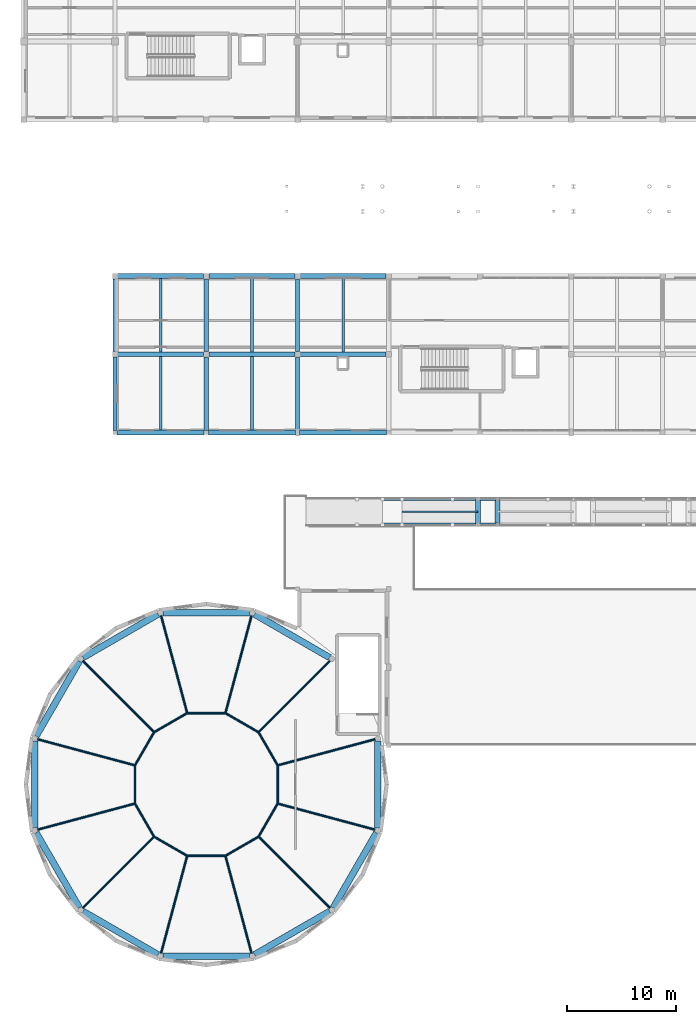
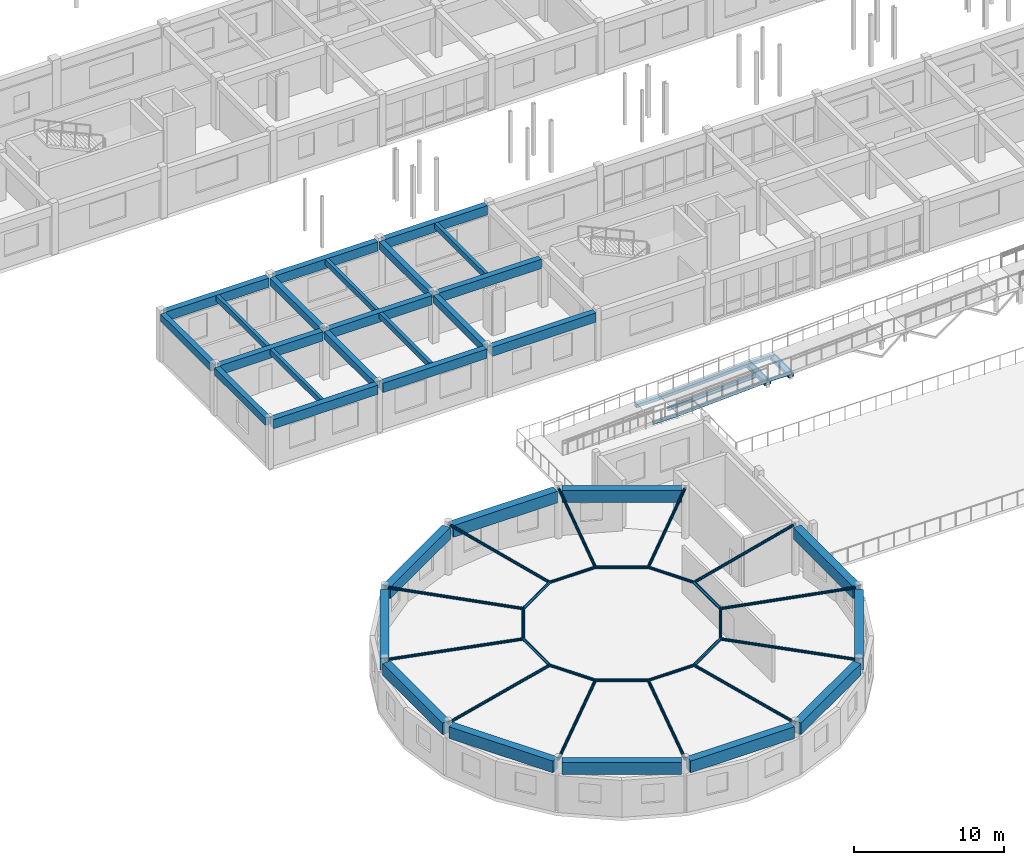
# One storey, part 28 of 90: 34 beams, 30 members.
"""IFC4 building model written with IfcOpenShell, lengths in metres."""

from ifc_helpers import new_model, si_unit, direction, frame, origin, origin_2d, place, context, subcontext, project, spatial, rectangle, hollow_rectangle, hollow_circle, i_section, extrude, material, material_profile, profile_set, type_object, element, save


model = new_model("IFC4")

# Units and contexts
model_context = context("Model", 3, precision=1e-05, world=origin(), true_north=direction((0.0, 1.0)))
body_context = subcontext(model_context, "Body", "Model", "MODEL_VIEW")
ifc_project = project(units=[si_unit("LENGTHUNIT", "METRE"), si_unit("AREAUNIT", "SQUARE_METRE"), si_unit("VOLUMEUNIT", "CUBIC_METRE"), si_unit("PLANEANGLEUNIT", "RADIAN"), si_unit("MASSUNIT", "GRAM", prefix="KILO")], contexts=[model_context])

# Site, building, storey
site_placement = place(None, origin())
site = spatial("IfcSite", under=ifc_project, at=site_placement, CompositionType="ELEMENT")
building_placement = place(site_placement, origin())
building = spatial("IfcBuilding", under=site, at=building_placement, Name="Malvenik Polytechnic", CompositionType="ELEMENT")
storey_placement = place(building_placement, frame((0.0, 0.0, 9.300048828125)))
storey = spatial("IfcBuildingStorey", under=building, at=storey_placement, Name="L02", CompositionType="ELEMENT", Elevation=9.300048828125)

# Beams
ifc_material_1 = material(Name="Concrete C35/45", Category="concrete")
ifc_material_profile_1 = material_profile(ifc_material_1, rectangle(XDim=0.449951171875, YDim=0.75, at=origin_2d()), Name="RC BM 450x750")
ifc_profile_set_1 = profile_set([ifc_material_profile_1], Name="Concrete C35/45")
beam_type_1 = type_object("IfcBeamType", Name="STR-BM-B-03", PredefinedType="BEAM", material=ifc_profile_set_1)
beam_1_placement = place(storey_placement, frame((8.64794921875, 57.60009765625, 3.56494140625), z_axis=(1.0, 0.0, 0.0), x_axis=(0.0, 1.0, 0.0)))
element("IfcBeam", 1, at=beam_1_placement, inside=storey, type_object=beam_type_1, Name="Primary Beam B-03 L02 #1350", PredefinedType="BEAM", context=body_context, shape_type="SweptSolid", body=[
    extrude(rectangle(XDim=0.449951171875, YDim=0.75, at=origin_2d()), origin(), (0.0, 0.0, 1.0), 7.904052734375),
])
beam_2_placement = place(storey_placement, frame((17.048095703125, 57.60009765625, 3.56494140625), z_axis=(1.0, 0.0, 0.0), x_axis=(0.0, 1.0, 0.0)))
element("IfcBeam", 2, at=beam_2_placement, inside=storey, type_object=beam_type_1, Name="Primary Beam B-03 L02 #1351", PredefinedType="BEAM", context=body_context, shape_type="SweptSolid", body=[
    extrude(rectangle(XDim=0.449951171875, YDim=0.75, at=origin_2d()), origin(), (0.0, 0.0, 1.0), 7.90380859375),
])
beam_3_placement = place(storey_placement, frame((25.447998046875, 57.60009765625, 3.56494140625), z_axis=(1.0, 0.0, 0.0), x_axis=(0.0, 1.0, 0.0)))
element("IfcBeam", 3, at=beam_3_placement, inside=storey, type_object=beam_type_1, Name="Primary Beam B-03 L02 #1352", PredefinedType="BEAM", context=body_context, shape_type="SweptSolid", body=[
    extrude(rectangle(XDim=0.449951171875, YDim=0.75, at=origin_2d()), origin(), (0.0, 0.0, 1.0), 7.904052734375),
])
ifc_material_profile_2 = material_profile(ifc_material_1, rectangle(XDim=0.39990234375, YDim=0.60009765625, at=origin_2d()), Name="RC BM 400x600")
ifc_profile_set_2 = profile_set([ifc_material_profile_2], Name="Concrete C35/45")
beam_type_2 = type_object("IfcBeamType", Name="STR-BM-B-06", PredefinedType="BEAM", material=ifc_profile_set_2)
beam_4_placement = place(storey_placement, frame((8.39990234375, 50.597900390625, 3.639892578125), z_axis=(0.0, 1.0, 0.0), x_axis=(-1.0, 0.0, 0.0)))
element("IfcBeam", 4, at=beam_4_placement, inside=storey, type_object=beam_type_2, Name="Transverse Beam B-06 L02 #1467", PredefinedType="BEAM", context=body_context, shape_type="SweptSolid", body=[
    extrude(rectangle(XDim=0.39990234375, YDim=0.60009765625, at=origin_2d()), origin(), (0.0, 0.0, 1.0), 6.754150390625),
])
beam_5_placement = place(storey_placement, frame((8.39990234375, 57.847900390625, 3.639892578125), z_axis=(0.0, 1.0, 0.0), x_axis=(-1.0, 0.0, 0.0)))
element("IfcBeam", 5, at=beam_5_placement, inside=storey, type_object=beam_type_2, Name="Transverse Beam B-06 L02 #1468", PredefinedType="BEAM", context=body_context, shape_type="SweptSolid", body=[
    extrude(rectangle(XDim=0.39990234375, YDim=0.60009765625, at=origin_2d()), origin(), (0.0, 0.0, 1.0), 6.7041015625),
])
beam_6_placement = place(storey_placement, frame((16.800048828125, 50.597900390625, 3.639892578125), z_axis=(0.0, 1.0, 0.0), x_axis=(-1.0, 0.0, 0.0)))
element("IfcBeam", 6, at=beam_6_placement, inside=storey, type_object=beam_type_2, Name="Transverse Beam B-06 L02 #1473", PredefinedType="BEAM", context=body_context, shape_type="SweptSolid", body=[
    extrude(rectangle(XDim=0.39990234375, YDim=0.60009765625, at=origin_2d()), origin(), (0.0, 0.0, 1.0), 6.754150390625),
])
beam_7_placement = place(storey_placement, frame((16.800048828125, 57.847900390625, 3.639892578125), z_axis=(0.0, 1.0, 0.0), x_axis=(-1.0, 0.0, 0.0)))
element("IfcBeam", 7, at=beam_7_placement, inside=storey, type_object=beam_type_2, Name="Transverse Beam B-06 L02 #1474", PredefinedType="BEAM", context=body_context, shape_type="SweptSolid", body=[
    extrude(rectangle(XDim=0.39990234375, YDim=0.60009765625, at=origin_2d()), origin(), (0.0, 0.0, 1.0), 6.7041015625),
])
beam_8_placement = place(storey_placement, frame((25.199951171875, 50.697998046875, 3.639892578125), z_axis=(0.0, 1.0, 0.0), x_axis=(-1.0, 0.0, 0.0)))
element("IfcBeam", 8, at=beam_8_placement, inside=storey, type_object=beam_type_2, Name="Transverse Beam B-06 L02 #1475", PredefinedType="BEAM", context=body_context, shape_type="SweptSolid", body=[
    extrude(rectangle(XDim=0.39990234375, YDim=0.60009765625, at=origin_2d()), origin(), (0.0, 0.0, 1.0), 6.654052734375),
])
beam_9_placement = place(storey_placement, frame((25.199951171875, 57.847900390625, 3.639892578125), z_axis=(0.0, 1.0, 0.0), x_axis=(-1.0, 0.0, 0.0)))
element("IfcBeam", 9, at=beam_9_placement, inside=storey, type_object=beam_type_2, Name="Transverse Beam B-06 L02 #1476", PredefinedType="BEAM", context=body_context, shape_type="SweptSolid", body=[
    extrude(rectangle(XDim=0.39990234375, YDim=0.60009765625, at=origin_2d()), origin(), (0.0, 0.0, 1.0), 6.7041015625),
])
ifc_material_2 = material(Name="Concrete C30/37", Category="concrete")
ifc_material_profile_3 = material_profile(ifc_material_2, rectangle(XDim=0.25, YDim=0.449951171875, at=origin_2d()), Name="RC JST 250x450")
ifc_profile_set_3 = profile_set([ifc_material_profile_3], Name="Concrete C30/37")
beam_type_3 = type_object("IfcBeamType", Name="STR-BM-J-02", PredefinedType="JOIST", material=ifc_profile_set_3)
for number, where, z_axis, x_axis, name in (
    (10, (12.60009765625, 50.6279296875, 3.71484375), (0.0, 1.0, 0.0), (-1.0, 0.0, 0.0), "Secondary Rib Joist J-02 L02 #1564"),
    (11, (12.60009765625, 57.822998046875, 3.71484375), (0.0, 1.0, 0.0), (-1.0, 0.0, 0.0), "Secondary Rib Joist J-02 L02 #1565"),
    (12, (21.0, 50.6279296875, 3.71484375), (0.0, 1.0, 0.0), (-1.0, 0.0, 0.0), "Secondary Rib Joist J-02 L02 #1566"),
    (13, (21.0, 57.822998046875, 3.71484375), (0.0, 1.0, 0.0), (-1.0, 0.0, 0.0), "Secondary Rib Joist J-02 L02 #1567"),
    (14, (29.39990234375, 57.822998046875, 3.71484375), (0.0, 1.0, 0.0), (-1.0, 0.0, 0.0), "Secondary Rib Joist J-02 L02 #1568"),
):
    element("IfcBeam", number, at=place(storey_placement, frame(where, z_axis=z_axis, x_axis=x_axis)), inside=storey, type_object=beam_type_3, Name=name, PredefinedType="JOIST", context=body_context, shape_type="SweptSolid", body=[
        extrude(rectangle(XDim=0.25, YDim=0.449951171875, at=origin_2d()), origin(), (0.0, 0.0, 1.0), 6.7490234375),
    ])
ifc_material_3 = material(Name="Concrete C40/50", Category="concrete")
ifc_material_profile_4 = material_profile(ifc_material_3, rectangle(XDim=0.60009765625, YDim=0.949951171875, at=origin_2d()), Name="RC RG 600x950")
ifc_profile_set_4 = profile_set([ifc_material_profile_4], Name="Concrete C40/50")
beam_type_4 = type_object("IfcBeamType", Name="STR-BM-RG-02", PredefinedType="BEAM", material=ifc_profile_set_4)
beam_10_placement = place(storey_placement, frame((28.1533203125, 29.680908203125, 3.48486328125), z_axis=(-0.865991037897, 0.50005951874, 0.0), x_axis=(-0.50005951874, -0.865991037897, 0.0)))
element("IfcBeam", 15, at=beam_10_placement, inside=storey, type_object=beam_type_4, Name="Rotunda Ring Girder RG-02 L02-2", PredefinedType="BEAM", context=body_context, shape_type="SweptSolid", body=[
    extrude(rectangle(XDim=0.60009765625, YDim=0.949951171875, at=origin_2d()), origin(), (0.0, 0.0, 1.0), 7.9833984375),
])
beam_11_placement = place(storey_placement, frame((20.7919921875, 33.79296875, 3.48486328125), z_axis=(-1.0, 0.0, 0.0), x_axis=(0.0, -1.0, 0.0)))
element("IfcBeam", 16, at=beam_11_placement, inside=storey, type_object=beam_type_4, Name="Rotunda Ring Girder RG-02 L02-3", PredefinedType="BEAM", context=body_context, shape_type="SweptSolid", body=[
    extrude(rectangle(XDim=0.60009765625, YDim=0.949951171875, at=origin_2d()), origin(), (0.0, 0.0, 1.0), 7.98388671875),
])
beam_12_placement = place(storey_placement, frame((12.360107421875, 33.673095703125, 3.48486328125), z_axis=(-0.865983390538, -0.500072762018, 0.0), x_axis=(0.500072762018, -0.865983390538, 0.0)))
element("IfcBeam", 17, at=beam_12_placement, inside=storey, type_object=beam_type_4, Name="Rotunda Ring Girder RG-02 L02-4", PredefinedType="BEAM", context=body_context, shape_type="SweptSolid", body=[
    extrude(rectangle(XDim=0.60009765625, YDim=0.949951171875, at=origin_2d()), origin(), (0.0, 0.0, 1.0), 7.983154296875),
])
beam_13_placement = place(storey_placement, frame((5.118896484375, 29.353271484375, 3.48486328125), z_axis=(-0.50003658433, -0.866004280781, 0.0), x_axis=(0.866004280781, -0.50003658433, 0.0)))
element("IfcBeam", 18, at=beam_13_placement, inside=storey, type_object=beam_type_4, Name="Rotunda Ring Girder RG-02 L02-5", PredefinedType="BEAM", context=body_context, shape_type="SweptSolid", body=[
    extrude(rectangle(XDim=0.60009765625, YDim=0.949951171875, at=origin_2d()), origin(), (0.0, 0.0, 1.0), 7.9833984375),
])
beam_14_placement = place(storey_placement, frame((1.007080078125, 21.991943359375, 3.48486328125), z_axis=(0.0, -1.0, 0.0), x_axis=(1.0, 0.0, 0.0)))
element("IfcBeam", 19, at=beam_14_placement, inside=storey, type_object=beam_type_4, Name="Rotunda Ring Girder RG-02 L02-6", PredefinedType="BEAM", context=body_context, shape_type="SweptSolid", body=[
    extrude(rectangle(XDim=0.60009765625, YDim=0.949951171875, at=origin_2d()), origin(), (0.0, 0.0, 1.0), 7.98388671875),
])
beam_15_placement = place(storey_placement, frame((1.126953125, 13.560302734375, 3.48486328125), z_axis=(0.50003658433, -0.866004280781, 0.0), x_axis=(0.866004280781, 0.50003658433, 0.0)))
element("IfcBeam", 20, at=beam_15_placement, inside=storey, type_object=beam_type_4, Name="Rotunda Ring Girder RG-02 L02-7", PredefinedType="BEAM", context=body_context, shape_type="SweptSolid", body=[
    extrude(rectangle(XDim=0.60009765625, YDim=0.949951171875, at=origin_2d()), origin(), (0.0, 0.0, 1.0), 7.9833984375),
])
beam_16_placement = place(storey_placement, frame((5.44677734375, 6.319091796875, 3.48486328125), z_axis=(0.865983390538, -0.500072762018, 0.0), x_axis=(0.500072762018, 0.865983390538, 0.0)))
element("IfcBeam", 21, at=beam_16_placement, inside=storey, type_object=beam_type_4, Name="Rotunda Ring Girder RG-02 L02-8", PredefinedType="BEAM", context=body_context, shape_type="SweptSolid", body=[
    extrude(rectangle(XDim=0.60009765625, YDim=0.949951171875, at=origin_2d()), origin(), (0.0, 0.0, 1.0), 7.983154296875),
])
beam_17_placement = place(storey_placement, frame((12.80810546875, 2.20703125, 3.48486328125), z_axis=(1.0, 0.0, 0.0), x_axis=(0.0, 1.0, 0.0)))
element("IfcBeam", 22, at=beam_17_placement, inside=storey, type_object=beam_type_4, Name="Rotunda Ring Girder RG-02 L02-9", PredefinedType="BEAM", context=body_context, shape_type="SweptSolid", body=[
    extrude(rectangle(XDim=0.60009765625, YDim=0.949951171875, at=origin_2d()), origin(), (0.0, 0.0, 1.0), 7.98388671875),
])
for number, where, z_axis, x_axis, name in (
    (23, (21.23974609375, 2.326904296875, 3.48486328125), (0.865991037897, 0.50005951874, 0.0), (-0.50005951874, 0.865991037897, 0.0), "Rotunda Ring Girder RG-02 L02-10"),
    (24, (28.48095703125, 6.646728515625, 3.48486328125), (0.50003658433, 0.866004280781, 0.0), (-0.866004280781, 0.50003658433, 0.0), "Rotunda Ring Girder RG-02 L02-11"),
):
    element("IfcBeam", number, at=place(storey_placement, frame(where, z_axis=z_axis, x_axis=x_axis)), inside=storey, type_object=beam_type_4, Name=name, PredefinedType="BEAM", context=body_context, shape_type="SweptSolid", body=[
        extrude(rectangle(XDim=0.60009765625, YDim=0.949951171875, at=origin_2d()), origin(), (0.0, 0.0, 1.0), 7.9833984375),
    ])
beam_18_placement = place(storey_placement, frame((32.593017578125, 14.008056640625, 3.48486328125), z_axis=(0.0, 1.0, 0.0), x_axis=(-1.0, 0.0, 0.0)))
element("IfcBeam", 25, at=beam_18_placement, inside=storey, type_object=beam_type_4, Name="Rotunda Ring Girder RG-02 L02-12", PredefinedType="BEAM", context=body_context, shape_type="SweptSolid", body=[
    extrude(rectangle(XDim=0.60009765625, YDim=0.949951171875, at=origin_2d()), origin(), (0.0, 0.0, 1.0), 7.98388671875),
])
ifc_material_4 = material(Name="Steel S355J2H", Category="steel")
ifc_material_profile_5 = material_profile(ifc_material_4, hollow_rectangle(XDim=0.449951171875, YDim=0.300048828125, WallThickness=0.012451171875, at=origin_2d()), Name="RHS 450x300x12.5")
ifc_profile_set_5 = profile_set([ifc_material_profile_5], Name="Steel S355J2H")
beam_type_5 = type_object("IfcBeamType", Name="STR-BM-SB-07", PredefinedType="BEAM", material=ifc_profile_set_5)
for number, where, z_axis, x_axis, name in (
    (26, (41.800048828125, 41.85009765625, 0.33203125), (0.0, 1.0, 0.0), (-1.0, 0.0, 0.0), "Ramp Joint Transom RB-01 #3"),
    (27, (43.60009765625, 41.85009765625, 0.33203125), (0.0, 1.0, 0.0), (-1.0, 0.0, 0.0), "Ramp Joint Transom RB-01 #4"),
):
    element("IfcBeam", number, at=place(storey_placement, frame(where, z_axis=z_axis, x_axis=x_axis)), inside=storey, type_object=beam_type_5, Name=name, PredefinedType="BEAM", context=body_context, shape_type="SweptSolid", body=[
        extrude(hollow_rectangle(XDim=0.449951171875, YDim=0.300048828125, WallThickness=0.012451171875, at=origin_2d()), origin(), (0.0, 0.0, 1.0), 2.5),
    ])
ifc_material_5 = material(Name="Steel S355", Category="steel")
ifc_material_profile_6 = material_profile(ifc_material_5, i_section(OverallWidth=0.14990234375, OverallDepth=0.300048828125, WebThickness=0.007080078125, FlangeThickness=0.0107421875, FilletRadius=0.014892578125, at=origin_2d()), Name="IPE 300")
ifc_profile_set_6 = profile_set([ifc_material_profile_6], Name="Steel S355")
beam_type_6 = type_object("IfcBeamType", Name="STR-BM-SB-09", PredefinedType="JOIST", material=ifc_profile_set_6)
beam_19_placement = place(storey_placement, frame((34.800048828125, 43.10009765625, -0.074951171875), z_axis=(0.998753381067, 0.0, 0.049916768801), x_axis=(0.0, 1.0, 0.0)))
element("IfcBeam", 28, at=beam_19_placement, inside=storey, type_object=beam_type_6, Name="Ramp Centreline Stringer RB-01 #2", PredefinedType="JOIST", context=body_context, shape_type="SweptSolid", body=[
    extrude(i_section(OverallWidth=0.14990234375, OverallDepth=0.300048828125, WebThickness=0.007080078125, FlangeThickness=0.0107421875, FilletRadius=0.014892578125, at=origin_2d()), origin(), (0.0, 0.0, 1.0), 7.0087890625),
])
ifc_material_6 = material(Name="Precast concrete C40/50", Category="concrete")
ifc_material_profile_7 = material_profile(ifc_material_6, rectangle(XDim=0.4599609375, YDim=0.75, at=origin_2d()), Name="PC SPN 460x750")
ifc_profile_set_7 = profile_set([ifc_material_profile_7], Name="Precast concrete C40/50")
beam_type_7 = type_object("IfcBeamType", Name="STR-BM-SP-02", PredefinedType="SPANDREL", material=ifc_profile_set_7)
beam_20_placement = place(storey_placement, frame((8.597900390625, 50.39990234375, 3.56494140625), z_axis=(1.0, 0.0, 0.0), x_axis=(0.0, 1.0, 0.0)))
element("IfcBeam", 29, at=beam_20_placement, inside=storey, type_object=beam_type_7, Name="Primary Beam SP-02 L02 #1335", PredefinedType="SPANDREL", context=body_context, shape_type="SweptSolid", body=[
    extrude(rectangle(XDim=0.4599609375, YDim=0.75, at=origin_2d()), origin(), (0.0, 0.0, 1.0), 8.004150390625),
])
beam_21_placement = place(storey_placement, frame((16.998046875, 50.39990234375, 3.56494140625), z_axis=(1.0, 0.0, 0.0), x_axis=(0.0, 1.0, 0.0)))
element("IfcBeam", 30, at=beam_21_placement, inside=storey, type_object=beam_type_7, Name="Primary Beam SP-02 L02 #1336", PredefinedType="SPANDREL", context=body_context, shape_type="SweptSolid", body=[
    extrude(rectangle(XDim=0.4599609375, YDim=0.75, at=origin_2d()), origin(), (0.0, 0.0, 1.0), 8.00390625),
])
beam_22_placement = place(storey_placement, frame((25.39794921875, 50.39990234375, 3.56494140625), z_axis=(1.0, 0.0, 0.0), x_axis=(0.0, 1.0, 0.0)))
element("IfcBeam", 31, at=beam_22_placement, inside=storey, type_object=beam_type_7, Name="Primary Beam SP-02 L02 #1337", PredefinedType="SPANDREL", context=body_context, shape_type="SweptSolid", body=[
    extrude(rectangle(XDim=0.4599609375, YDim=0.75, at=origin_2d()), origin(), (0.0, 0.0, 1.0), 8.004150390625),
])
beam_23_placement = place(storey_placement, frame((8.64794921875, 64.800048828125, 3.56494140625), z_axis=(1.0, 0.0, 0.0), x_axis=(0.0, 1.0, 0.0)))
element("IfcBeam", 32, at=beam_23_placement, inside=storey, type_object=beam_type_7, Name="Primary Beam SP-02 L02 #1361", PredefinedType="SPANDREL", context=body_context, shape_type="SweptSolid", body=[
    extrude(rectangle(XDim=0.4599609375, YDim=0.75, at=origin_2d()), origin(), (0.0, 0.0, 1.0), 7.904052734375),
])
beam_24_placement = place(storey_placement, frame((17.048095703125, 64.800048828125, 3.56494140625), z_axis=(1.0, 0.0, 0.0), x_axis=(0.0, 1.0, 0.0)))
element("IfcBeam", 33, at=beam_24_placement, inside=storey, type_object=beam_type_7, Name="Primary Beam SP-02 L02 #1362", PredefinedType="SPANDREL", context=body_context, shape_type="SweptSolid", body=[
    extrude(rectangle(XDim=0.4599609375, YDim=0.75, at=origin_2d()), origin(), (0.0, 0.0, 1.0), 7.90380859375),
])
beam_25_placement = place(storey_placement, frame((25.447998046875, 64.800048828125, 3.56494140625), z_axis=(1.0, 0.0, 0.0), x_axis=(0.0, 1.0, 0.0)))
element("IfcBeam", 34, at=beam_25_placement, inside=storey, type_object=beam_type_7, Name="Primary Beam SP-02 L02 #1363", PredefinedType="SPANDREL", context=body_context, shape_type="SweptSolid", body=[
    extrude(rectangle(XDim=0.4599609375, YDim=0.75, at=origin_2d()), origin(), (0.0, 0.0, 1.0), 7.904052734375),
])

# Members
ifc_material_profile_8 = material_profile(ifc_material_4, hollow_circle(Radius=0.109619140625, WallThickness=0.010009765625, at=origin_2d()), Name="CHS 219.1x10.0")
ifc_profile_set_8 = profile_set([ifc_material_profile_8], Name="Steel S355J2H")
member_type_1 = type_object("IfcMemberType", Name="STR-MEM-SFB-02", PredefinedType="CHORD", material=ifc_profile_set_8)
member_1_placement = place(storey_placement, frame((23.3662109375, 19.763427734375, 3.97998046875), z_axis=(-0.499997272852, 0.866026978298, 0.0), x_axis=(-0.866026978298, -0.499997272852, 0.0)))
element("IfcMember", 35, at=member_1_placement, inside=storey, type_object=member_type_1, Name="Space-Frame Tube SFB-02 STR-ROT-BRNG-01", PredefinedType="CHORD", context=body_context, shape_type="SweptSolid", body=[
    extrude(hollow_circle(Radius=0.109619140625, WallThickness=0.010009765625, at=origin_2d()), origin(), (0.0, 0.0, 1.0), 3.51171875),
])
member_2_placement = place(storey_placement, frame((32.589111328125, 22.23095703125, 4.0048828125), z_axis=(-0.965913695925, -0.258851156539, -0.002609747748), x_axis=(0.258852038033, -0.965916985256, 0.0)))
element("IfcMember", 36, at=member_2_placement, inside=storey, type_object=member_type_1, Name="Space-Frame Tube SFB-02 STR-ROT-TIE-01", PredefinedType="CHORD", context=body_context, shape_type="SweptSolid", body=[
    extrude(hollow_circle(Radius=0.109619140625, WallThickness=0.010009765625, at=origin_2d()), origin(), (0.0, 0.0, 1.0), 9.5419921875),
])
member_3_placement = place(storey_placement, frame((21.604736328125, 22.810302734375, 3.97998046875), z_axis=(-0.865996874274, 0.500049411307, 0.0), x_axis=(-0.500049411307, -0.865996874274, 0.0)))
element("IfcMember", 37, at=member_3_placement, inside=storey, type_object=member_type_1, Name="Space-Frame Tube SFB-02 STR-ROT-BRNG-02", PredefinedType="CHORD", context=body_context, shape_type="SweptSolid", body=[
    extrude(hollow_circle(Radius=0.109619140625, WallThickness=0.010009765625, at=origin_2d()), origin(), (0.0, 0.0, 1.0), 3.511962890625),
])
member_4_placement = place(storey_placement, frame((28.358154296875, 29.55810546875, 4.0048828125), z_axis=(-0.707104373096, -0.707104373096, -0.002609807717), x_axis=(0.707106781187, -0.707106781187, 0.0)))
element("IfcMember", 38, at=member_4_placement, inside=storey, type_object=member_type_1, Name="Space-Frame Tube SFB-02 STR-ROT-TIE-02", PredefinedType="CHORD", context=body_context, shape_type="SweptSolid", body=[
    extrude(hollow_circle(Radius=0.109619140625, WallThickness=0.010009765625, at=origin_2d()), origin(), (0.0, 0.0, 1.0), 9.541748046875),
])
member_5_placement = place(storey_placement, frame((18.555908203125, 24.568359375, 3.97998046875), z_axis=(-1.0, 0.0, 0.0), x_axis=(0.0, -1.0, 0.0)))
element("IfcMember", 39, at=member_5_placement, inside=storey, type_object=member_type_1, Name="Space-Frame Tube SFB-02 STR-ROT-BRNG-03", PredefinedType="CHORD", context=body_context, shape_type="SweptSolid", body=[
    extrude(hollow_circle(Radius=0.109619140625, WallThickness=0.010009765625, at=origin_2d()), origin(), (0.0, 0.0, 1.0), 3.511962890625),
])
member_6_placement = place(storey_placement, frame((21.031005859375, 33.7890625, 4.0048828125), z_axis=(-0.258851156539, -0.965913695925, -0.002609747748), x_axis=(0.965916985256, -0.258852038033, 0.0)))
element("IfcMember", 40, at=member_6_placement, inside=storey, type_object=member_type_1, Name="Space-Frame Tube SFB-02 STR-ROT-TIE-03", PredefinedType="CHORD", context=body_context, shape_type="SweptSolid", body=[
    extrude(hollow_circle(Radius=0.109619140625, WallThickness=0.010009765625, at=origin_2d()), origin(), (0.0, 0.0, 1.0), 9.5419921875),
])
member_7_placement = place(storey_placement, frame((15.03662109375, 24.56640625, 3.97998046875), z_axis=(-0.866014255863, -0.50001930827, 0.0), x_axis=(0.50001930827, -0.866014255863, 0.0)))
element("IfcMember", 41, at=member_7_placement, inside=storey, type_object=member_type_1, Name="Space-Frame Tube SFB-02 STR-ROT-BRNG-04", PredefinedType="CHORD", context=body_context, shape_type="SweptSolid", body=[
    extrude(hollow_circle(Radius=0.109619140625, WallThickness=0.010009765625, at=origin_2d()), origin(), (0.0, 0.0, 1.0), 3.511962890625),
])
member_8_placement = place(storey_placement, frame((12.569091796875, 33.7890625, 4.0048828125), z_axis=(0.258851156539, -0.965913695925, -0.002609747748), x_axis=(0.965916985256, 0.258852038033, 0.0)))
element("IfcMember", 42, at=member_8_placement, inside=storey, type_object=member_type_1, Name="Space-Frame Tube SFB-02 STR-ROT-TIE-04", PredefinedType="CHORD", context=body_context, shape_type="SweptSolid", body=[
    extrude(hollow_circle(Radius=0.109619140625, WallThickness=0.010009765625, at=origin_2d()), origin(), (0.0, 0.0, 1.0), 9.5419921875),
])
member_9_placement = place(storey_placement, frame((11.98974609375, 22.8046875, 3.97998046875), z_axis=(-0.500049411307, -0.865996874274, 0.0), x_axis=(0.865996874274, -0.500049411307, 0.0)))
element("IfcMember", 43, at=member_9_placement, inside=storey, type_object=member_type_1, Name="Space-Frame Tube SFB-02 STR-ROT-BRNG-05", PredefinedType="CHORD", context=body_context, shape_type="SweptSolid", body=[
    extrude(hollow_circle(Radius=0.109619140625, WallThickness=0.010009765625, at=origin_2d()), origin(), (0.0, 0.0, 1.0), 3.511962890625),
])
member_10_placement = place(storey_placement, frame((5.24169921875, 29.55810546875, 4.0048828125), z_axis=(0.707117166011, -0.707091580124, -0.0026097605), x_axis=(0.707093988084, 0.707119574058, 0.0)))
element("IfcMember", 44, at=member_10_placement, inside=storey, type_object=member_type_1, Name="Space-Frame Tube SFB-02 STR-ROT-TIE-05", PredefinedType="CHORD", context=body_context, shape_type="SweptSolid", body=[
    extrude(hollow_circle(Radius=0.109619140625, WallThickness=0.010009765625, at=origin_2d()), origin(), (0.0, 0.0, 1.0), 9.5419921875),
])
member_11_placement = place(storey_placement, frame((10.231689453125, 19.756103515625, 3.97998046875), z_axis=(0.0, -1.0, 0.0), x_axis=(1.0, 0.0, 0.0)))
element("IfcMember", 45, at=member_11_placement, inside=storey, type_object=member_type_1, Name="Space-Frame Tube SFB-02 STR-ROT-BRNG-06", PredefinedType="CHORD", context=body_context, shape_type="SweptSolid", body=[
    extrude(hollow_circle(Radius=0.109619140625, WallThickness=0.010009765625, at=origin_2d()), origin(), (0.0, 0.0, 1.0), 3.51220703125),
])
member_12_placement = place(storey_placement, frame((1.010986328125, 22.23095703125, 4.0048828125), z_axis=(0.965913695925, -0.258851156539, -0.002609747748), x_axis=(0.258852038033, 0.965916985256, 0.0)))
element("IfcMember", 46, at=member_12_placement, inside=storey, type_object=member_type_1, Name="Space-Frame Tube SFB-02 STR-ROT-TIE-06", PredefinedType="CHORD", context=body_context, shape_type="SweptSolid", body=[
    extrude(hollow_circle(Radius=0.109619140625, WallThickness=0.010009765625, at=origin_2d()), origin(), (0.0, 0.0, 1.0), 9.5419921875),
])
member_13_placement = place(storey_placement, frame((10.233642578125, 16.236572265625, 3.97998046875), z_axis=(0.500049411307, -0.865996874274, 0.0), x_axis=(0.865996874274, 0.500049411307, 0.0)))
element("IfcMember", 47, at=member_13_placement, inside=storey, type_object=member_type_1, Name="Space-Frame Tube SFB-02 STR-ROT-BRNG-07", PredefinedType="CHORD", context=body_context, shape_type="SweptSolid", body=[
    extrude(hollow_circle(Radius=0.109619140625, WallThickness=0.010009765625, at=origin_2d()), origin(), (0.0, 0.0, 1.0), 3.511962890625),
])
member_14_placement = place(storey_placement, frame((1.010986328125, 13.76904296875, 4.0048828125), z_axis=(0.965913695925, 0.258851156539, -0.002609747748), x_axis=(-0.258852038033, 0.965916985256, 0.0)))
element("IfcMember", 48, at=member_14_placement, inside=storey, type_object=member_type_1, Name="Space-Frame Tube SFB-02 STR-ROT-TIE-07", PredefinedType="CHORD", context=body_context, shape_type="SweptSolid", body=[
    extrude(hollow_circle(Radius=0.109619140625, WallThickness=0.010009765625, at=origin_2d()), origin(), (0.0, 0.0, 1.0), 9.5419921875),
])
member_15_placement = place(storey_placement, frame((11.9951171875, 13.189697265625, 3.97998046875), z_axis=(0.866014255863, -0.50001930827, 0.0), x_axis=(0.50001930827, 0.866014255863, 0.0)))
element("IfcMember", 49, at=member_15_placement, inside=storey, type_object=member_type_1, Name="Space-Frame Tube SFB-02 STR-ROT-BRNG-08", PredefinedType="CHORD", context=body_context, shape_type="SweptSolid", body=[
    extrude(hollow_circle(Radius=0.109619140625, WallThickness=0.010009765625, at=origin_2d()), origin(), (0.0, 0.0, 1.0), 3.511962890625),
])
member_16_placement = place(storey_placement, frame((5.24169921875, 6.44189453125, 4.0048828125), z_axis=(0.707117166011, 0.707091580124, -0.0026097605), x_axis=(-0.707093988084, 0.707119574058, 0.0)))
element("IfcMember", 50, at=member_16_placement, inside=storey, type_object=member_type_1, Name="Space-Frame Tube SFB-02 STR-ROT-TIE-08", PredefinedType="CHORD", context=body_context, shape_type="SweptSolid", body=[
    extrude(hollow_circle(Radius=0.109619140625, WallThickness=0.010009765625, at=origin_2d()), origin(), (0.0, 0.0, 1.0), 9.5419921875),
])
member_17_placement = place(storey_placement, frame((15.0439453125, 11.431640625, 3.97998046875), z_axis=(1.0, 0.0, 0.0), x_axis=(0.0, 1.0, 0.0)))
element("IfcMember", 51, at=member_17_placement, inside=storey, type_object=member_type_1, Name="Space-Frame Tube SFB-02 STR-ROT-BRNG-09", PredefinedType="CHORD", context=body_context, shape_type="SweptSolid", body=[
    extrude(hollow_circle(Radius=0.109619140625, WallThickness=0.010009765625, at=origin_2d()), origin(), (0.0, 0.0, 1.0), 3.511962890625),
])
member_18_placement = place(storey_placement, frame((12.569091796875, 2.2109375, 4.0048828125), z_axis=(0.258851156539, 0.965913695925, -0.002609747748), x_axis=(-0.965916985256, 0.258852038033, 0.0)))
element("IfcMember", 52, at=member_18_placement, inside=storey, type_object=member_type_1, Name="Space-Frame Tube SFB-02 STR-ROT-TIE-09", PredefinedType="CHORD", context=body_context, shape_type="SweptSolid", body=[
    extrude(hollow_circle(Radius=0.109619140625, WallThickness=0.010009765625, at=origin_2d()), origin(), (0.0, 0.0, 1.0), 9.5419921875),
])
member_19_placement = place(storey_placement, frame((18.5634765625, 11.43359375, 3.97998046875), z_axis=(0.865996874274, 0.500049411307, 0.0), x_axis=(-0.500049411307, 0.865996874274, 0.0)))
element("IfcMember", 53, at=member_19_placement, inside=storey, type_object=member_type_1, Name="Space-Frame Tube SFB-02 STR-ROT-BRNG-10", PredefinedType="CHORD", context=body_context, shape_type="SweptSolid", body=[
    extrude(hollow_circle(Radius=0.109619140625, WallThickness=0.010009765625, at=origin_2d()), origin(), (0.0, 0.0, 1.0), 3.511962890625),
])
member_20_placement = place(storey_placement, frame((21.031005859375, 2.2109375, 4.0048828125), z_axis=(-0.258851156539, 0.965913695925, -0.002609747748), x_axis=(-0.965916985256, -0.258852038033, 0.0)))
element("IfcMember", 54, at=member_20_placement, inside=storey, type_object=member_type_1, Name="Space-Frame Tube SFB-02 STR-ROT-TIE-10", PredefinedType="CHORD", context=body_context, shape_type="SweptSolid", body=[
    extrude(hollow_circle(Radius=0.109619140625, WallThickness=0.010009765625, at=origin_2d()), origin(), (0.0, 0.0, 1.0), 9.5419921875),
])
member_21_placement = place(storey_placement, frame((21.6103515625, 13.1953125, 3.97998046875), z_axis=(0.499997272852, 0.866026978298, 0.0), x_axis=(-0.866026978298, 0.499997272852, 0.0)))
element("IfcMember", 55, at=member_21_placement, inside=storey, type_object=member_type_1, Name="Space-Frame Tube SFB-02 STR-ROT-BRNG-11", PredefinedType="CHORD", context=body_context, shape_type="SweptSolid", body=[
    extrude(hollow_circle(Radius=0.109619140625, WallThickness=0.010009765625, at=origin_2d()), origin(), (0.0, 0.0, 1.0), 3.51171875),
])
member_22_placement = place(storey_placement, frame((28.358154296875, 6.44189453125, 4.0048828125), z_axis=(-0.707104373096, 0.707104373096, -0.002609807717), x_axis=(-0.707106781187, -0.707106781187, 0.0)))
element("IfcMember", 56, at=member_22_placement, inside=storey, type_object=member_type_1, Name="Space-Frame Tube SFB-02 STR-ROT-TIE-11", PredefinedType="CHORD", context=body_context, shape_type="SweptSolid", body=[
    extrude(hollow_circle(Radius=0.109619140625, WallThickness=0.010009765625, at=origin_2d()), origin(), (0.0, 0.0, 1.0), 9.541748046875),
])
member_23_placement = place(storey_placement, frame((23.368408203125, 16.243896484375, 3.97998046875), z_axis=(0.0, 1.0, 0.0), x_axis=(-1.0, 0.0, 0.0)))
element("IfcMember", 57, at=member_23_placement, inside=storey, type_object=member_type_1, Name="Space-Frame Tube SFB-02 STR-ROT-BRNG-12", PredefinedType="CHORD", context=body_context, shape_type="SweptSolid", body=[
    extrude(hollow_circle(Radius=0.109619140625, WallThickness=0.010009765625, at=origin_2d()), origin(), (0.0, 0.0, 1.0), 3.51220703125),
])
member_24_placement = place(storey_placement, frame((32.589111328125, 13.76904296875, 4.0048828125), z_axis=(-0.965913695925, 0.258851156539, -0.002609747748), x_axis=(-0.258852038033, -0.965916985256, 0.0)))
element("IfcMember", 58, at=member_24_placement, inside=storey, type_object=member_type_1, Name="Space-Frame Tube SFB-02 STR-ROT-TIE-12", PredefinedType="CHORD", context=body_context, shape_type="SweptSolid", body=[
    extrude(hollow_circle(Radius=0.109619140625, WallThickness=0.010009765625, at=origin_2d()), origin(), (0.0, 0.0, 1.0), 9.5419921875),
])
ifc_material_profile_9 = material_profile(ifc_material_4, hollow_rectangle(XDim=0.199951171875, YDim=0.199951171875, WallThickness=0.010009765625, at=origin_2d()), Name="SHS 200x200x10.0")
ifc_profile_set_9 = profile_set([ifc_material_profile_9], Name="Steel S355J2H")
member_type_2 = type_object("IfcMemberType", Name="STR-MEM-TRT-01", PredefinedType="CHORD", material=ifc_profile_set_9)
member_25_placement = place(storey_placement, frame((33.00390625, 41.949951171875, 0.1298828125), z_axis=(1.0, 0.0, 0.0), x_axis=(0.0, 1.0, 0.0)))
element("IfcMember", 59, at=member_25_placement, inside=storey, type_object=member_type_2, Name="Space-Frame Tube TRT-01 STR-TR-TC-RB-01-1-01", PredefinedType="CHORD", context=body_context, shape_type="SweptSolid", body=[
    extrude(hollow_rectangle(XDim=0.199951171875, YDim=0.199951171875, WallThickness=0.010009765625, at=origin_2d()), origin(), (0.0, 0.0, 1.0), 1.7919921875),
])
member_26_placement = place(storey_placement, frame((34.803955078125, 41.949951171875, 0.130126953125), z_axis=(0.998752251909, 0.0, 0.049939356288), x_axis=(0.0, 1.0, 0.0)))
element("IfcMember", 60, at=member_26_placement, inside=storey, type_object=member_type_2, Name="Space-Frame Tube TRT-01 STR-TR-TC-RB-01-1-02", PredefinedType="CHORD", context=body_context, shape_type="SweptSolid", body=[
    extrude(hollow_rectangle(XDim=0.199951171875, YDim=0.199951171875, WallThickness=0.010009765625, at=origin_2d()), origin(), (0.0, 0.0, 1.0), 7.000732421875),
])
member_27_placement = place(storey_placement, frame((41.803955078125, 41.949951171875, 0.47998046875), z_axis=(1.0, 0.0, 0.0), x_axis=(0.0, 1.0, 0.0)))
element("IfcMember", 61, at=member_27_placement, inside=storey, type_object=member_type_2, Name="Space-Frame Tube TRT-01 STR-TR-TC-RB-01-1-03", PredefinedType="CHORD", context=body_context, shape_type="SweptSolid", body=[
    extrude(hollow_rectangle(XDim=0.199951171875, YDim=0.199951171875, WallThickness=0.010009765625, at=origin_2d()), origin(), (0.0, 0.0, 1.0), 1.7919921875),
])
ifc_material_profile_10 = material_profile(ifc_material_4, hollow_rectangle(XDim=0.25, YDim=0.25, WallThickness=0.010009765625, at=origin_2d()), Name="SHS 250x250x10.0")
ifc_profile_set_10 = profile_set([ifc_material_profile_10], Name="Steel S355J2H")
member_type_3 = type_object("IfcMemberType", Name="STR-MEM-TRT-02", PredefinedType="CHORD", material=ifc_profile_set_10)
member_28_placement = place(storey_placement, frame((33.00390625, 44.25, 0.1298828125), z_axis=(1.0, 0.0, 0.0), x_axis=(0.0, 1.0, 0.0)))
element("IfcMember", 62, at=member_28_placement, inside=storey, type_object=member_type_3, Name="Space-Frame Tube TRT-02 STR-TR-TC-RB-01-2-01", PredefinedType="CHORD", context=body_context, shape_type="SweptSolid", body=[
    extrude(hollow_rectangle(XDim=0.25, YDim=0.25, WallThickness=0.010009765625, at=origin_2d()), origin(), (0.0, 0.0, 1.0), 1.7919921875),
])
member_29_placement = place(storey_placement, frame((34.803955078125, 44.25, 0.130126953125), z_axis=(0.998752251909, 0.0, 0.049939356288), x_axis=(0.0, 1.0, 0.0)))
element("IfcMember", 63, at=member_29_placement, inside=storey, type_object=member_type_3, Name="Space-Frame Tube TRT-02 STR-TR-TC-RB-01-2-02", PredefinedType="CHORD", context=body_context, shape_type="SweptSolid", body=[
    extrude(hollow_rectangle(XDim=0.25, YDim=0.25, WallThickness=0.010009765625, at=origin_2d()), origin(), (0.0, 0.0, 1.0), 7.000732421875),
])
member_30_placement = place(storey_placement, frame((41.803955078125, 44.25, 0.47998046875), z_axis=(1.0, 0.0, 0.0), x_axis=(0.0, 1.0, 0.0)))
element("IfcMember", 64, at=member_30_placement, inside=storey, type_object=member_type_3, Name="Space-Frame Tube TRT-02 STR-TR-TC-RB-01-2-03", PredefinedType="CHORD", context=body_context, shape_type="SweptSolid", body=[
    extrude(hollow_rectangle(XDim=0.25, YDim=0.25, WallThickness=0.010009765625, at=origin_2d()), origin(), (0.0, 0.0, 1.0), 1.7919921875),
])

save(model, "model.ifc")
